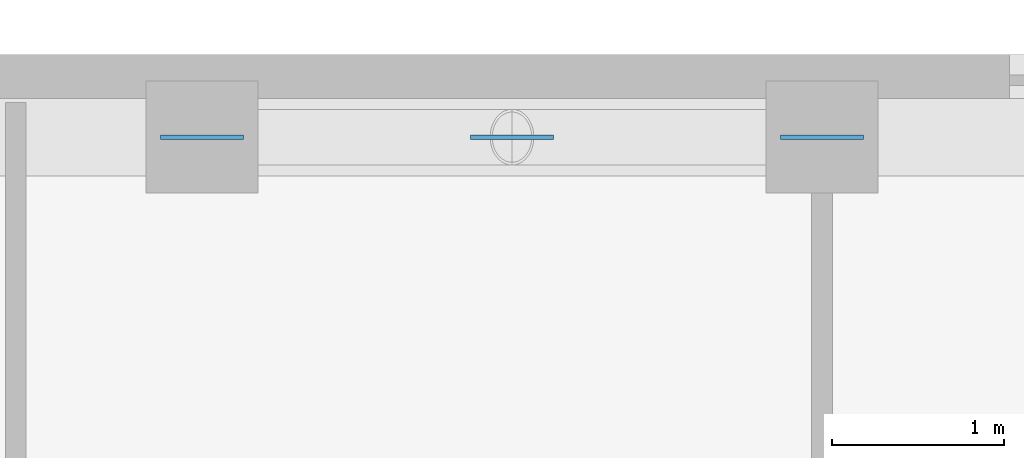
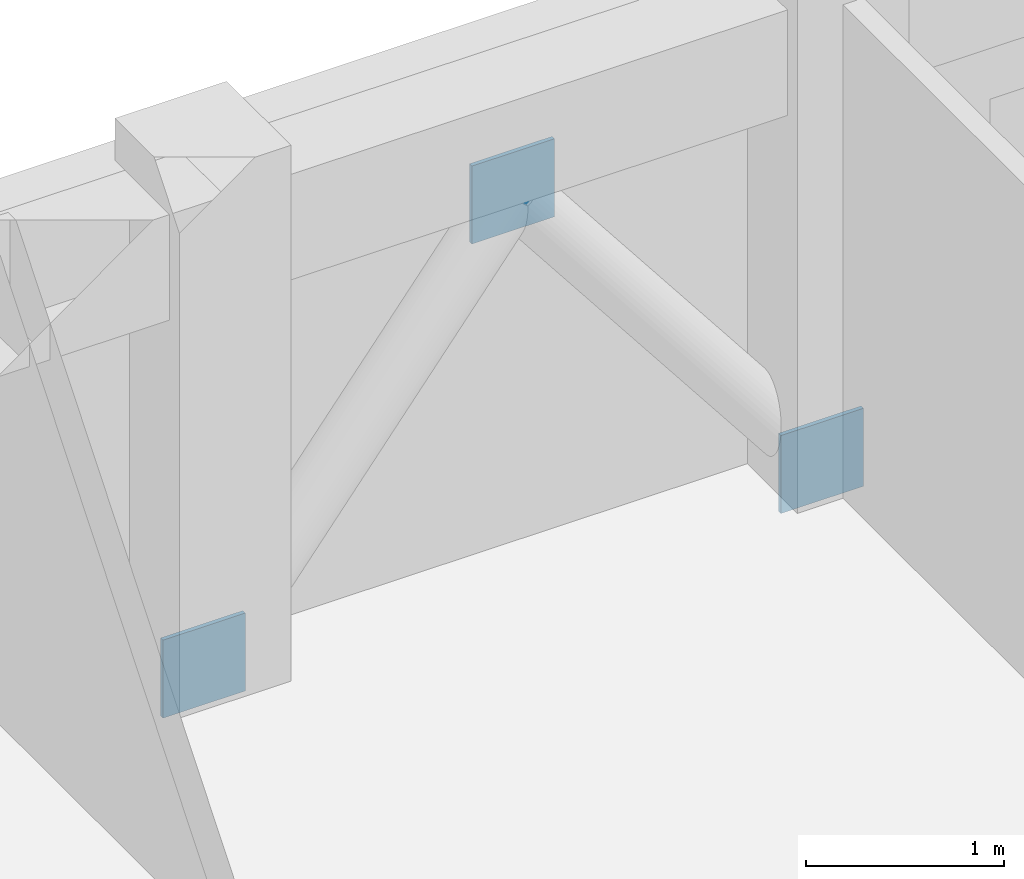
# One storey, part 11 of 13: 3 discrete accessories.
"""IFC4 building model written with IfcOpenShell, lengths in metres."""

from ifc_helpers import new_model, si_unit, derived_unit, direction, frame, origin, origin_2d, place, context, subcontext, project, spatial, rectangle, extrude, material, layer, layer_set, type_object, element, save


model = new_model("IFC4")

# Units and contexts
model_context = context("Model", 3, precision=1e-05, world=origin(), true_north=direction((0.0, 1.0)))
body_context = subcontext(model_context, "Body", "Model", "MODEL_VIEW")
ifc_project = project(units=[si_unit("LENGTHUNIT", "METRE"), si_unit("AREAUNIT", "SQUARE_METRE"), si_unit("VOLUMEUNIT", "CUBIC_METRE"), si_unit("PLANEANGLEUNIT", "RADIAN"), si_unit("MASSUNIT", "GRAM", prefix="KILO"), derived_unit("THERMALTRANSMITTANCEUNIT", [(si_unit("MASSUNIT", "GRAM", prefix="KILO"), 1), (si_unit("TIMEUNIT", "SECOND"), -3), (si_unit("THERMODYNAMICTEMPERATUREUNIT", "KELVIN"), -1)])], contexts=[model_context])

# Site, building, storey
site_placement = place(None, origin())
site = spatial("IfcSite", under=ifc_project, at=site_placement, CompositionType="ELEMENT")
building_placement = place(site_placement, origin())
building = spatial("IfcBuilding", under=site, at=building_placement, Name="Korrvale Station Residences", CompositionType="ELEMENT")
storey_placement = place(building_placement, frame((0.0, 0.0, 181.0)))
storey = spatial("IfcBuildingStorey", under=building, at=storey_placement, Name="L52", CompositionType="ELEMENT", Elevation=181.0)

# Discrete accessories
ifc_material = material(Name="Steel S355", Category="steel")
ifc_layer = layer(ifc_material, 0.02490234375, Name="Steel S355")
ifc_layer_set = layer_set([ifc_layer], Name="Steel S355")
discrete_accessory_type = type_object("IfcDiscreteAccessoryType", Name="ACC-GUSSET-25", PredefinedType="BRACKET", material=ifc_layer_set)
for number, where, z_axis, x_axis, name in (
    (1, (23.199951171875, 39.719970703125, -0.219970703125), (0.0, 0.0, 1.0), (1.0, 0.0, 0.0), "L52 N Brace End Gusset Connection A"),
    (2, (26.800048828125, 39.719970703125, -0.219970703125), (0.0, 0.0, 1.0), (1.0, 0.0, 0.0), "L52 N Brace End Gusset Connection B"),
    (3, (25.0, 39.719970703125, 2.070068359375), (0.0, 0.0, 1.0), (1.0, 0.0, 0.0), "L52 N Brace End Gusset Connection M"),
):
    element("IfcDiscreteAccessory", number, at=place(storey_placement, frame(where, z_axis=z_axis, x_axis=x_axis)), inside=storey, type_object=discrete_accessory_type, Name=name, PredefinedType="BRACKET", context=body_context, shape_type="SweptSolid", body=[
        extrude(rectangle(XDim=0.47998046875, YDim=0.02490234375, at=origin_2d()), origin(), (0.0, 0.0, 1.0), 0.47998046875),
    ])

save(model, "model.ifc")
